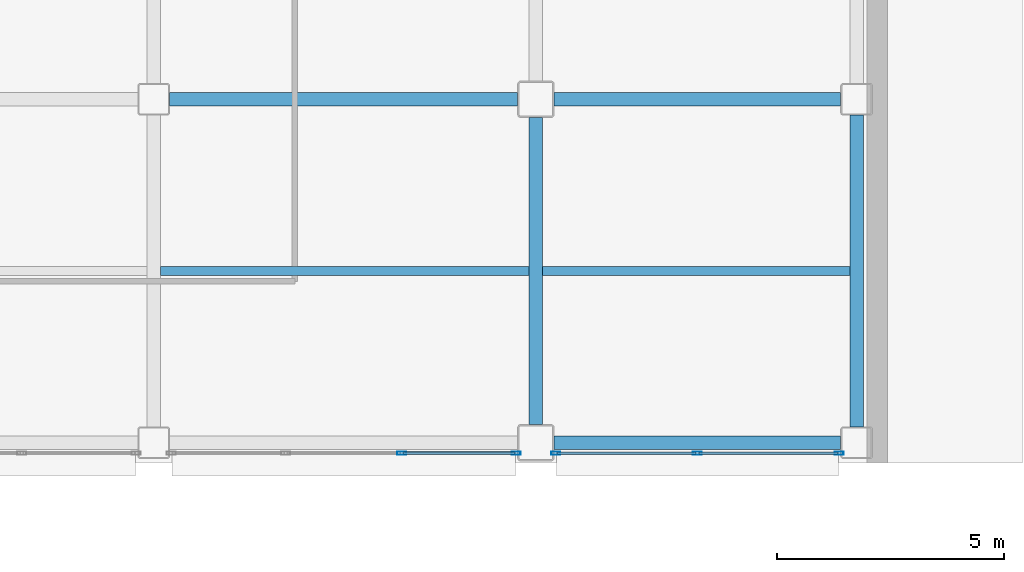
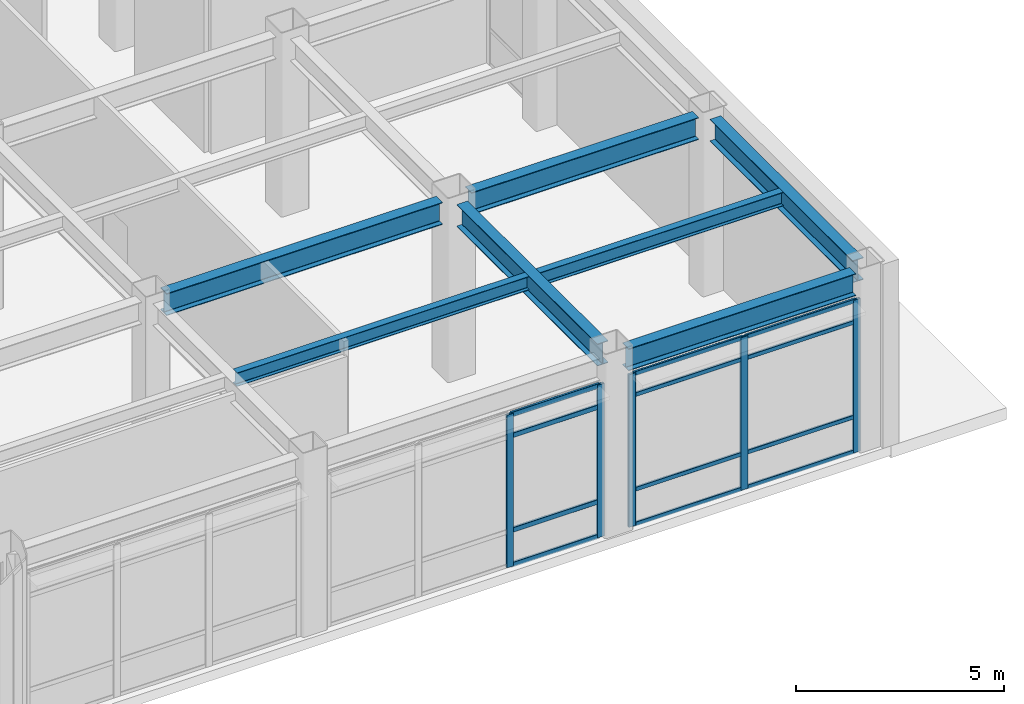
# One storey, part 89 of 165: 17 members, 7 beams, 2 elements without a shape of their own.
"""IFC4 building model written with IfcOpenShell, lengths in metres."""

from ifc_helpers import new_model, si_unit, direction, frame, origin, origin_2d, place, context, subcontext, project, spatial, hollow_rectangle, i_section, extrude, material, layer, layer_set, material_profile, profile_set, type_object, element, aggregate, save


model = new_model("IFC4")

# Units and contexts
model_context = context("Model", 3, precision=1e-05, world=origin(), true_north=direction((0.0, 1.0)))
body_context = subcontext(model_context, "Body", "Model", "MODEL_VIEW")
ifc_project = project(units=[si_unit("LENGTHUNIT", "METRE"), si_unit("AREAUNIT", "SQUARE_METRE"), si_unit("VOLUMEUNIT", "CUBIC_METRE"), si_unit("PLANEANGLEUNIT", "RADIAN"), si_unit("MASSUNIT", "GRAM", prefix="KILO")], contexts=[model_context])

# Site, building, storey
site_placement = place(None, origin())
site = spatial("IfcSite", under=ifc_project, at=site_placement, CompositionType="ELEMENT")
building_placement = place(site_placement, origin())
building = spatial("IfcBuilding", under=site, at=building_placement, Name="Kazehara Bluff Congress Hotel", CompositionType="ELEMENT")
storey_placement = place(building_placement, origin())
storey = spatial("IfcBuildingStorey", under=building, at=storey_placement, Name="L00", CompositionType="ELEMENT", Elevation=0.0)

# Curtain wall, members
ifc_material_1 = material(Name="Anodised aluminium", Category="aluminium")
ifc_layer_1 = layer(ifc_material_1, 0.159912109375)
ifc_layer_set_1 = layer_set([ifc_layer_1], Name="Anodised aluminium")
curtain_wall_type_1 = type_object("IfcCurtainWallType", Name="TP-CW-19", PredefinedType="NOTDEFINED", material=ifc_layer_set_1)
curtain_wall_1_placement = place(storey_placement, origin())
curtain_wall_1 = element("IfcCurtainWall", 1, at=curtain_wall_1_placement, inside=storey, type_object=curtain_wall_type_1, Name="L00 curtain wall CW-19 CW-ENC-V5-L00-15627-22", PredefinedType="NOTDEFINED")
ifc_material_2 = material(Name="Anodised aluminium", Category="aluminium")
ifc_material_profile_1 = material_profile(ifc_material_2, hollow_rectangle(XDim=0.070068359375, YDim=0.199951171875, WallThickness=0.0048828125, InnerFilletRadius=0.0048828125, OuterFilletRadius=0.010009765625, at=origin_2d()))
ifc_profile_set_1 = profile_set([ifc_material_profile_1], Name="Anodised aluminium")
member_type_1 = type_object("IfcMemberType", Name="TP-CWM-03", PredefinedType="MULLION", material=ifc_profile_set_1)
member_1_placement = place(storey_placement, frame((160.06494140625, 0.219970703125, 0.0), z_axis=(0.0, 0.0, 1.0), x_axis=(0.0, -1.0, 0.0)))
member_1 = element("IfcMember", 2, at=member_1_placement, type_object=member_type_1, Name="CW-19 mullion 1", PredefinedType="MULLION", context=body_context, shape_type="SweptSolid", body=[
    extrude(hollow_rectangle(XDim=0.070068359375, YDim=0.199951171875, WallThickness=0.0048828125, InnerFilletRadius=0.0048828125, OuterFilletRadius=0.010009765625, at=origin_2d()), origin(), (0.0, 0.0, 1.0), 4.47509765625),
])
member_2_placement = place(storey_placement, frame((157.550048828125, 0.219970703125, 0.0), z_axis=(0.0, 0.0, 1.0), x_axis=(0.0, -1.0, 0.0)))
member_2 = element("IfcMember", 3, at=member_2_placement, type_object=member_type_1, Name="CW-19 mullion 2", PredefinedType="MULLION", context=body_context, shape_type="SweptSolid", body=[
    extrude(hollow_rectangle(XDim=0.070068359375, YDim=0.199951171875, WallThickness=0.0048828125, InnerFilletRadius=0.0048828125, OuterFilletRadius=0.010009765625, at=origin_2d()), origin(), (0.0, 0.0, 1.0), 4.47509765625),
])

ifc_material_3 = material(Name="Anodised aluminium", Category="aluminium")
ifc_layer_2 = layer(ifc_material_3, 0.159912109375)
ifc_layer_set_2 = layer_set([ifc_layer_2], Name="Anodised aluminium")
curtain_wall_type_2 = type_object("IfcCurtainWallType", Name="TP-CW-99", PredefinedType="NOTDEFINED", material=ifc_layer_set_2)
curtain_wall_2_placement = place(storey_placement, origin())
curtain_wall_2 = element("IfcCurtainWall", 4, at=curtain_wall_2_placement, inside=storey, type_object=curtain_wall_type_2, Name="L00 curtain wall CW-99 CW-ENC-V5-L00-16405-22", PredefinedType="NOTDEFINED")
member_3_placement = place(storey_placement, frame((167.1650390625, 0.219970703125, 0.0), z_axis=(0.0, 0.0, 1.0), x_axis=(0.0, -1.0, 0.0)))
member_3 = element("IfcMember", 5, at=member_3_placement, type_object=member_type_1, Name="CW-99 mullion 1", PredefinedType="MULLION", context=body_context, shape_type="SweptSolid", body=[
    extrude(hollow_rectangle(XDim=0.070068359375, YDim=0.199951171875, WallThickness=0.0048828125, InnerFilletRadius=0.0048828125, OuterFilletRadius=0.010009765625, at=origin_2d()), origin(), (0.0, 0.0, 1.0), 4.47509765625),
])
member_4_placement = place(storey_placement, frame((164.050048828125, 0.219970703125, 0.0), z_axis=(0.0, 0.0, 1.0), x_axis=(0.0, -1.0, 0.0)))
member_4 = element("IfcMember", 6, at=member_4_placement, type_object=member_type_1, Name="CW-99 mullion 2", PredefinedType="MULLION", context=body_context, shape_type="SweptSolid", body=[
    extrude(hollow_rectangle(XDim=0.070068359375, YDim=0.199951171875, WallThickness=0.0048828125, InnerFilletRadius=0.0048828125, OuterFilletRadius=0.010009765625, at=origin_2d()), origin(), (0.0, 0.0, 1.0), 4.47509765625),
])
member_5_placement = place(storey_placement, frame((160.93505859375, 0.219970703125, 0.0), z_axis=(0.0, 0.0, 1.0), x_axis=(0.0, -1.0, 0.0)))
member_5 = element("IfcMember", 7, at=member_5_placement, type_object=member_type_1, Name="CW-99 mullion 3", PredefinedType="MULLION", context=body_context, shape_type="SweptSolid", body=[
    extrude(hollow_rectangle(XDim=0.070068359375, YDim=0.199951171875, WallThickness=0.0048828125, InnerFilletRadius=0.0048828125, OuterFilletRadius=0.010009765625, at=origin_2d()), origin(), (0.0, 0.0, 1.0), 4.47509765625),
])
ifc_material_4 = material(Name="Anodised aluminium", Category="aluminium")
ifc_material_profile_2 = material_profile(ifc_material_4, hollow_rectangle(XDim=0.06005859375, YDim=0.1201171875, WallThickness=0.00390625, InnerFilletRadius=0.00390625, OuterFilletRadius=0.008056640625, at=origin_2d()))
ifc_profile_set_2 = profile_set([ifc_material_profile_2], Name="Anodised aluminium")
member_type_2 = type_object("IfcMemberType", Name="TP-CWT-01", PredefinedType="USERDEFINED", material=ifc_profile_set_2)
member_6_placement = place(storey_placement, frame((167.1298828125, 0.219970703125, 0.030029296875), z_axis=(-1.0, 0.0, 0.0), x_axis=(0.0, -1.0, 0.0)))
member_6 = element("IfcMember", 8, at=member_6_placement, type_object=member_type_2, Name="CW-99 transom 1.1", ObjectType="TRANSOM", PredefinedType="USERDEFINED", context=body_context, shape_type="SweptSolid", body=[
    extrude(hollow_rectangle(XDim=0.06005859375, YDim=0.1201171875, WallThickness=0.00390625, InnerFilletRadius=0.00390625, OuterFilletRadius=0.008056640625, at=origin_2d()), origin(), (0.0, 0.0, 1.0), 3.044921875),
])
member_7_placement = place(storey_placement, frame((167.1298828125, 0.219970703125, 1.050048828125), z_axis=(-1.0, 0.0, 0.0), x_axis=(0.0, -1.0, 0.0)))
member_7 = element("IfcMember", 9, at=member_7_placement, type_object=member_type_2, Name="CW-99 transom 1.2", ObjectType="TRANSOM", PredefinedType="USERDEFINED", context=body_context, shape_type="SweptSolid", body=[
    extrude(hollow_rectangle(XDim=0.06005859375, YDim=0.1201171875, WallThickness=0.00390625, InnerFilletRadius=0.00390625, OuterFilletRadius=0.008056640625, at=origin_2d()), origin(), (0.0, 0.0, 1.0), 3.044921875),
])
member_8_placement = place(storey_placement, frame((167.1298828125, 0.219970703125, 3.824951171875), z_axis=(-1.0, 0.0, 0.0), x_axis=(0.0, -1.0, 0.0)))
member_8 = element("IfcMember", 10, at=member_8_placement, type_object=member_type_2, Name="CW-99 transom 1.3", ObjectType="TRANSOM", PredefinedType="USERDEFINED", context=body_context, shape_type="SweptSolid", body=[
    extrude(hollow_rectangle(XDim=0.06005859375, YDim=0.1201171875, WallThickness=0.00390625, InnerFilletRadius=0.00390625, OuterFilletRadius=0.008056640625, at=origin_2d()), origin(), (0.0, 0.0, 1.0), 3.044921875),
])
member_9_placement = place(storey_placement, frame((167.1298828125, 0.219970703125, 4.445068359375), z_axis=(-1.0, 0.0, 0.0), x_axis=(0.0, -1.0, 0.0)))
member_9 = element("IfcMember", 11, at=member_9_placement, type_object=member_type_2, Name="CW-99 transom 1.4", ObjectType="TRANSOM", PredefinedType="USERDEFINED", context=body_context, shape_type="SweptSolid", body=[
    extrude(hollow_rectangle(XDim=0.06005859375, YDim=0.1201171875, WallThickness=0.00390625, InnerFilletRadius=0.00390625, OuterFilletRadius=0.008056640625, at=origin_2d()), origin(), (0.0, 0.0, 1.0), 3.044921875),
])
member_10_placement = place(storey_placement, frame((164.014892578125, 0.219970703125, 0.030029296875), z_axis=(-1.0, 0.0, 0.0), x_axis=(0.0, -1.0, 0.0)))
member_10 = element("IfcMember", 12, at=member_10_placement, type_object=member_type_2, Name="CW-99 transom 2.1", ObjectType="TRANSOM", PredefinedType="USERDEFINED", context=body_context, shape_type="SweptSolid", body=[
    extrude(hollow_rectangle(XDim=0.06005859375, YDim=0.1201171875, WallThickness=0.00390625, InnerFilletRadius=0.00390625, OuterFilletRadius=0.008056640625, at=origin_2d()), origin(), (0.0, 0.0, 1.0), 3.044921875),
])
member_11_placement = place(storey_placement, frame((164.014892578125, 0.219970703125, 1.050048828125), z_axis=(-1.0, 0.0, 0.0), x_axis=(0.0, -1.0, 0.0)))
member_11 = element("IfcMember", 13, at=member_11_placement, type_object=member_type_2, Name="CW-99 transom 2.2", ObjectType="TRANSOM", PredefinedType="USERDEFINED", context=body_context, shape_type="SweptSolid", body=[
    extrude(hollow_rectangle(XDim=0.06005859375, YDim=0.1201171875, WallThickness=0.00390625, InnerFilletRadius=0.00390625, OuterFilletRadius=0.008056640625, at=origin_2d()), origin(), (0.0, 0.0, 1.0), 3.044921875),
])
member_12_placement = place(storey_placement, frame((164.014892578125, 0.219970703125, 3.824951171875), z_axis=(-1.0, 0.0, 0.0), x_axis=(0.0, -1.0, 0.0)))
member_12 = element("IfcMember", 14, at=member_12_placement, type_object=member_type_2, Name="CW-99 transom 2.3", ObjectType="TRANSOM", PredefinedType="USERDEFINED", context=body_context, shape_type="SweptSolid", body=[
    extrude(hollow_rectangle(XDim=0.06005859375, YDim=0.1201171875, WallThickness=0.00390625, InnerFilletRadius=0.00390625, OuterFilletRadius=0.008056640625, at=origin_2d()), origin(), (0.0, 0.0, 1.0), 3.044921875),
])
member_13_placement = place(storey_placement, frame((164.014892578125, 0.219970703125, 4.445068359375), z_axis=(-1.0, 0.0, 0.0), x_axis=(0.0, -1.0, 0.0)))
member_13 = element("IfcMember", 15, at=member_13_placement, type_object=member_type_2, Name="CW-99 transom 2.4", ObjectType="TRANSOM", PredefinedType="USERDEFINED", context=body_context, shape_type="SweptSolid", body=[
    extrude(hollow_rectangle(XDim=0.06005859375, YDim=0.1201171875, WallThickness=0.00390625, InnerFilletRadius=0.00390625, OuterFilletRadius=0.008056640625, at=origin_2d()), origin(), (0.0, 0.0, 1.0), 3.044921875),
])
aggregate(curtain_wall_2, [member_3, member_4, member_5, member_6, member_7, member_8, member_9, member_10, member_11, member_12, member_13])

# Member
ifc_material_5 = material(Name="Anodised aluminium", Category="aluminium")
ifc_material_profile_3 = material_profile(ifc_material_5, hollow_rectangle(XDim=0.06494140625, YDim=0.139892578125, WallThickness=0.00390625, InnerFilletRadius=0.00390625, OuterFilletRadius=0.008056640625, at=origin_2d()))
ifc_profile_set_3 = profile_set([ifc_material_profile_3], Name="Anodised aluminium")
member_type_3 = type_object("IfcMemberType", Name="TP-CWT-02", PredefinedType="USERDEFINED", material=ifc_profile_set_3)
member_14_placement = place(storey_placement, frame((160.030029296875, 0.219970703125, 0.032470703125), z_axis=(-1.0, 0.0, 0.0), x_axis=(0.0, -1.0, 0.0)))
member_14 = element("IfcMember", 16, at=member_14_placement, type_object=member_type_3, Name="CW-19 transom 1.1", ObjectType="TRANSOM", PredefinedType="USERDEFINED", context=body_context, shape_type="SweptSolid", body=[
    extrude(hollow_rectangle(XDim=0.06494140625, YDim=0.139892578125, WallThickness=0.00390625, InnerFilletRadius=0.00390625, OuterFilletRadius=0.008056640625, at=origin_2d()), origin(), (0.0, 0.0, 1.0), 2.445068359375),
])

member_15_placement = place(storey_placement, frame((160.030029296875, 0.219970703125, 1.050048828125), z_axis=(-1.0, 0.0, 0.0), x_axis=(0.0, -1.0, 0.0)))
member_15 = element("IfcMember", 17, at=member_15_placement, type_object=member_type_3, Name="CW-19 transom 1.2", ObjectType="TRANSOM", PredefinedType="USERDEFINED", context=body_context, shape_type="SweptSolid", body=[
    extrude(hollow_rectangle(XDim=0.06494140625, YDim=0.139892578125, WallThickness=0.00390625, InnerFilletRadius=0.00390625, OuterFilletRadius=0.008056640625, at=origin_2d()), origin(), (0.0, 0.0, 1.0), 2.445068359375),
])

member_16_placement = place(storey_placement, frame((160.030029296875, 0.219970703125, 3.824951171875), z_axis=(-1.0, 0.0, 0.0), x_axis=(0.0, -1.0, 0.0)))
member_16 = element("IfcMember", 18, at=member_16_placement, type_object=member_type_3, Name="CW-19 transom 1.3", ObjectType="TRANSOM", PredefinedType="USERDEFINED", context=body_context, shape_type="SweptSolid", body=[
    extrude(hollow_rectangle(XDim=0.06494140625, YDim=0.139892578125, WallThickness=0.00390625, InnerFilletRadius=0.00390625, OuterFilletRadius=0.008056640625, at=origin_2d()), origin(), (0.0, 0.0, 1.0), 2.445068359375),
])

member_17_placement = place(storey_placement, frame((160.030029296875, 0.219970703125, 4.4423828125), z_axis=(-1.0, 0.0, 0.0), x_axis=(0.0, -1.0, 0.0)))
member_17 = element("IfcMember", 19, at=member_17_placement, type_object=member_type_3, Name="CW-19 transom 1.4", ObjectType="TRANSOM", PredefinedType="USERDEFINED", context=body_context, shape_type="SweptSolid", body=[
    extrude(hollow_rectangle(XDim=0.06494140625, YDim=0.139892578125, WallThickness=0.00390625, InnerFilletRadius=0.00390625, OuterFilletRadius=0.008056640625, at=origin_2d()), origin(), (0.0, 0.0, 1.0), 2.445068359375),
])

aggregate(curtain_wall_1, [member_1, member_2, member_14, member_15, member_16, member_17])

# Beams
ifc_material_6 = material(Name="Steel SN490B", Category="steel")
ifc_material_profile_4 = material_profile(ifc_material_6, i_section(OverallWidth=0.300048828125, OverallDepth=0.64990234375, WebThickness=0.011962890625, FlangeThickness=0.02001953125, FilletRadius=0.012939453125, at=origin_2d()))
ifc_profile_set_4 = profile_set([ifc_material_profile_4], Name="Steel SN490B")
beam_type_1 = type_object("IfcBeamType", Name="TP-G-03", PredefinedType="BEAM", material=ifc_profile_set_4)
beam_1_placement = place(storey_placement, frame((160.5, 0.85009765625, 4.824951171875), z_axis=(0.0, 1.0, 0.0), x_axis=(-1.0, 0.0, 0.0)))
element("IfcBeam", 20, at=beam_1_placement, inside=storey, type_object=beam_type_1, Name="L00 girder G-03 249", PredefinedType="BEAM", context=body_context, shape_type="SweptSolid", body=[
    extrude(i_section(OverallWidth=0.300048828125, OverallDepth=0.64990234375, WebThickness=0.011962890625, FlangeThickness=0.02001953125, FilletRadius=0.012939453125, at=origin_2d()), origin(), (0.0, 0.0, 1.0), 6.75),
])
beam_2_placement = place(storey_placement, frame((167.550048828125, 0.800048828125, 4.824951171875), z_axis=(0.0, 1.0, 0.0), x_axis=(-1.0, 0.0, 0.0)))
element("IfcBeam", 21, at=beam_2_placement, inside=storey, type_object=beam_type_1, Name="L00 girder G-03 260", PredefinedType="BEAM", context=body_context, shape_type="SweptSolid", body=[
    extrude(i_section(OverallWidth=0.300048828125, OverallDepth=0.64990234375, WebThickness=0.011962890625, FlangeThickness=0.02001953125, FilletRadius=0.012939453125, at=origin_2d()), origin(), (0.0, 0.0, 1.0), 6.849853515625),
])
beam_3_placement = place(storey_placement, frame((160.89990234375, 0.449951171875, 4.824951171875), z_axis=(1.0, 0.0, 0.0), x_axis=(0.0, 1.0, 0.0)))
element("IfcBeam", 22, at=beam_3_placement, inside=storey, type_object=beam_type_1, Name="L00 girder G-03 273", PredefinedType="BEAM", context=body_context, shape_type="SweptSolid", body=[
    extrude(i_section(OverallWidth=0.300048828125, OverallDepth=0.64990234375, WebThickness=0.011962890625, FlangeThickness=0.02001953125, FilletRadius=0.012939453125, at=origin_2d()), origin(), (0.0, 0.0, 1.0), 6.300048828125),
])
beam_4_placement = place(storey_placement, frame((152.449951171875, 8.0, 4.824951171875), z_axis=(1.0, 0.0, 0.0), x_axis=(0.0, 1.0, 0.0)))
element("IfcBeam", 23, at=beam_4_placement, inside=storey, type_object=beam_type_1, Name="L00 girder G-03 275", PredefinedType="BEAM", context=body_context, shape_type="SweptSolid", body=[
    extrude(i_section(OverallWidth=0.300048828125, OverallDepth=0.64990234375, WebThickness=0.011962890625, FlangeThickness=0.02001953125, FilletRadius=0.012939453125, at=origin_2d()), origin(), (0.0, 0.0, 1.0), 7.650146484375),
])
beam_5_placement = place(storey_placement, frame((160.89990234375, 8.0, 4.824951171875), z_axis=(1.0, 0.0, 0.0), x_axis=(0.0, 1.0, 0.0)))
element("IfcBeam", 24, at=beam_5_placement, inside=storey, type_object=beam_type_1, Name="L00 girder G-03 276", PredefinedType="BEAM", context=body_context, shape_type="SweptSolid", body=[
    extrude(i_section(OverallWidth=0.300048828125, OverallDepth=0.64990234375, WebThickness=0.011962890625, FlangeThickness=0.02001953125, FilletRadius=0.012939453125, at=origin_2d()), origin(), (0.0, 0.0, 1.0), 6.300048828125),
])
ifc_material_7 = material(Name="Steel SN400B", Category="steel")
ifc_material_profile_5 = material_profile(ifc_material_7, i_section(OverallWidth=0.199951171875, OverallDepth=0.39990234375, WebThickness=0.008056640625, FlangeThickness=0.012939453125, FilletRadius=0.012939453125, at=origin_2d()))
ifc_profile_set_5 = profile_set([ifc_material_profile_5], Name="Steel SN400B")
beam_type_2 = type_object("IfcBeamType", Name="TP-J-03", PredefinedType="JOIST", material=ifc_profile_set_5)
beam_6_placement = place(storey_placement, frame((152.25, 4.22509765625, 4.949951171875), z_axis=(1.0, 0.0, 0.0), x_axis=(0.0, 1.0, 0.0)))
element("IfcBeam", 25, at=beam_6_placement, inside=storey, type_object=beam_type_2, Name="L00 secondary joist J-03 65", PredefinedType="JOIST", context=body_context, shape_type="SweptSolid", body=[
    extrude(i_section(OverallWidth=0.199951171875, OverallDepth=0.39990234375, WebThickness=0.008056640625, FlangeThickness=0.012939453125, FilletRadius=0.012939453125, at=origin_2d()), origin(), (0.0, 0.0, 1.0), 8.10009765625),
])
beam_7_placement = place(storey_placement, frame((160.64990234375, 4.22509765625, 4.949951171875), z_axis=(1.0, 0.0, 0.0), x_axis=(0.0, 1.0, 0.0)))
element("IfcBeam", 26, at=beam_7_placement, inside=storey, type_object=beam_type_2, Name="L00 secondary joist J-03 69", PredefinedType="JOIST", context=body_context, shape_type="SweptSolid", body=[
    extrude(i_section(OverallWidth=0.199951171875, OverallDepth=0.39990234375, WebThickness=0.008056640625, FlangeThickness=0.012939453125, FilletRadius=0.012939453125, at=origin_2d()), origin(), (0.0, 0.0, 1.0), 6.75),
])

save(model, "model.ifc")
